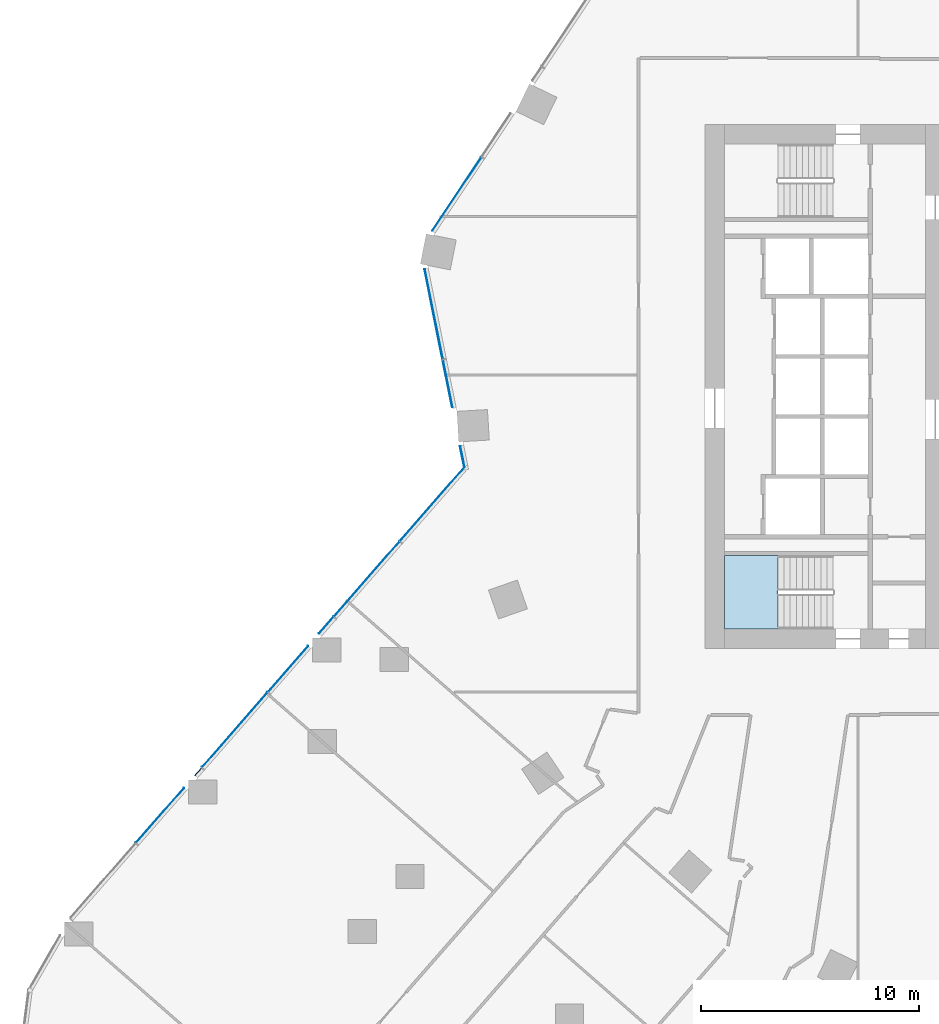
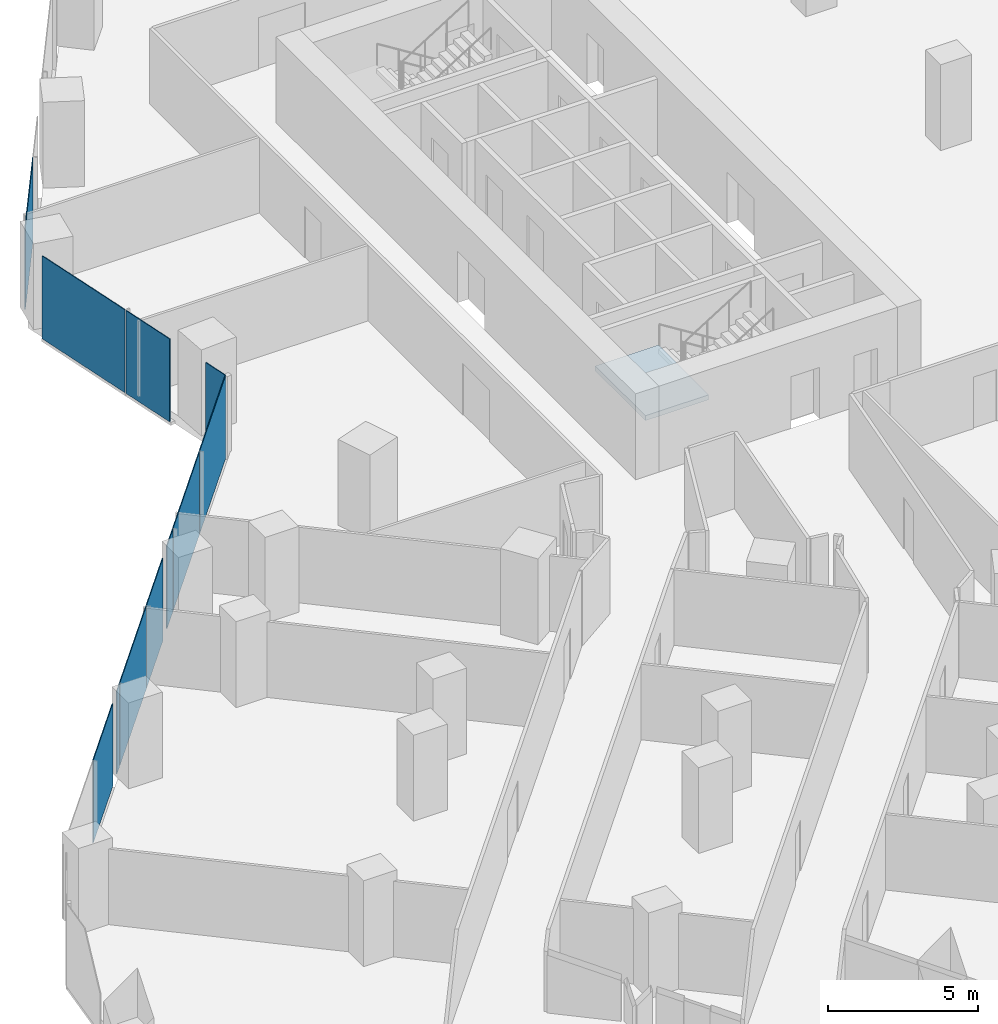
# One storey, part 20 of 38: 11 plates, 1 slab, 4 elements without a shape of their own.
"""IFC4 building model written with IfcOpenShell, lengths in metres."""

from ifc_helpers import new_model, si_unit, direction, frame, origin, origin_2d, place, context, subcontext, project, spatial, polyline, rectangle, outline, extrude, material, layer, layer_set, type_object, element, aggregate, save


model = new_model("IFC4")

# Units and contexts
model_context = context("Model", 3, precision=1e-05, world=origin(), true_north=direction((0.0, 1.0)))
body_context = subcontext(model_context, "Body", "Model", "MODEL_VIEW")
ifc_project = project(units=[si_unit("LENGTHUNIT", "METRE"), si_unit("AREAUNIT", "SQUARE_METRE"), si_unit("VOLUMEUNIT", "CUBIC_METRE"), si_unit("PLANEANGLEUNIT", "RADIAN"), si_unit("MASSUNIT", "GRAM", prefix="KILO")], contexts=[model_context])

# Site, building, storey
site_placement = place(None, origin())
site = spatial("IfcSite", under=ifc_project, at=site_placement, CompositionType="ELEMENT")
building_placement = place(site_placement, origin())
building = spatial("IfcBuilding", under=site, at=building_placement, Name="Orlundy Tower", CompositionType="ELEMENT")
storey_placement = place(building_placement, frame((0.0, 0.0, 65.800048828125)))
storey = spatial("IfcBuildingStorey", under=building, at=storey_placement, Name="L15", CompositionType="ELEMENT", Elevation=65.800048828125)

# Curtain wall, plates
ifc_material_1 = material(Name="Aluminium bronze anodised", Category="aluminium")
curtain_wall_type = type_object("IfcCurtainWallType", Name="CW1 wall", PredefinedType="NOTDEFINED", material=ifc_material_1)
curtain_wall_1_placement = place(storey_placement, origin())
curtain_wall_1 = element("IfcCurtainWall", 1, at=curtain_wall_1_placement, inside=storey, type_object=curtain_wall_type, Name="CW1 run 012", PredefinedType="NOTDEFINED")
ifc_material_2 = material(Name="Tinted glass", Category="glass")
ifc_layer_1 = layer(ifc_material_2, 0.031982421875)
ifc_layer_set_1 = layer_set([ifc_layer_1], Name="CW1 glass panel 32")
plate_type = type_object("IfcPlateType", Name="CW1 glass panel 32", PredefinedType="CURTAIN_PANEL", material=ifc_layer_set_1)
plate_1_placement = place(storey_placement, frame((-43.957275390625, -19.63818359375, -0.280029296875), z_axis=(0.0, 0.0, 1.0), x_axis=(0.658273153933, 0.752779154075, 0.0)))
plate_1 = element("IfcPlate", 2, at=plate_1_placement, type_object=plate_type, Name="CW1 panel", PredefinedType="CURTAIN_PANEL", context=body_context, shape_type="SweptSolid", body=[
    extrude(rectangle(XDim=3.33642578125, YDim=0.031982421875, at=origin_2d()), origin(), (0.0, 0.0, 1.0), 3.3798828125),
])
plate_2_placement = place(storey_placement, frame((-42.218017578125, -17.649169921875, -0.280029296875), z_axis=(0.0, 0.0, 1.0), x_axis=(0.658273153933, 0.752779154075, 0.0)))
plate_2 = element("IfcPlate", 3, at=plate_2_placement, type_object=plate_type, Name="CW1 panel", PredefinedType="CURTAIN_PANEL", context=body_context, shape_type="SweptSolid", body=[
    extrude(rectangle(XDim=0.456787109375, YDim=0.031982421875, at=origin_2d()), origin(), (0.0, 0.0, 1.0), 3.3798828125),
])
plate_3_placement = place(storey_placement, frame((-40.540771484375, -15.731201171875, -0.280029296875), z_axis=(0.0, 0.0, 1.0), x_axis=(0.658273153933, 0.752779154075, 0.0)))
plate_3 = element("IfcPlate", 4, at=plate_3_placement, type_object=plate_type, Name="CW1 panel", PredefinedType="CURTAIN_PANEL", context=body_context, shape_type="SweptSolid", body=[
    extrude(rectangle(XDim=4.538818359375, YDim=0.031982421875, at=origin_2d()), origin(), (0.0, 0.0, 1.0), 3.3798828125),
])
plate_4_placement = place(storey_placement, frame((-38.095458984375, -12.934814453125, -0.280029296875), z_axis=(0.0, 0.0, 1.0), x_axis=(0.658273153933, 0.752779154075, 0.0)))
plate_4 = element("IfcPlate", 5, at=plate_4_placement, type_object=plate_type, Name="CW1 panel", PredefinedType="CURTAIN_PANEL", context=body_context, shape_type="SweptSolid", body=[
    extrude(rectangle(XDim=2.79052734375, YDim=0.031982421875, at=origin_2d()), origin(), (0.0, 0.0, 1.0), 3.3798828125),
])
plate_5_placement = place(storey_placement, frame((-36.355712890625, -10.9453125, -0.280029296875), z_axis=(0.0, 0.0, 1.0), x_axis=(0.658273153933, 0.752779154075, 0.0)))
plate_5 = element("IfcPlate", 6, at=plate_5_placement, type_object=plate_type, Name="CW1 panel", PredefinedType="CURTAIN_PANEL", context=body_context, shape_type="SweptSolid", body=[
    extrude(rectangle(XDim=1.0009765625, YDim=0.031982421875, at=origin_2d()), origin(), (0.0, 0.0, 1.0), 3.3798828125),
])
plate_6_placement = place(storey_placement, frame((-34.49951171875, -8.822509765625, -0.280029296875), z_axis=(0.0, 0.0, 1.0), x_axis=(0.658273153933, 0.752779154075, 0.0)))
plate_6 = element("IfcPlate", 7, at=plate_6_placement, type_object=plate_type, Name="CW1 panel", PredefinedType="CURTAIN_PANEL", context=body_context, shape_type="SweptSolid", body=[
    extrude(rectangle(XDim=4.538818359375, YDim=0.031982421875, at=origin_2d()), origin(), (0.0, 0.0, 1.0), 3.3798828125),
])
plate_7_placement = place(storey_placement, frame((-31.4970703125, -5.38916015625, -0.280029296875), z_axis=(0.0, 0.0, 1.0), x_axis=(0.658273153933, 0.752779154075, 0.0)))
plate_7 = element("IfcPlate", 8, at=plate_7_placement, type_object=plate_type, Name="CW1 panel", PredefinedType="CURTAIN_PANEL", context=body_context, shape_type="SweptSolid", body=[
    extrude(rectangle(XDim=4.48291015625, YDim=0.031982421875, at=origin_2d()), origin(), (0.0, 0.0, 1.0), 3.3798828125),
])
aggregate(curtain_wall_1, [plate_1, plate_2, plate_3, plate_4, plate_5, plate_6, plate_7])

curtain_wall_2_placement = place(storey_placement, origin())
curtain_wall_2 = element("IfcCurtainWall", 9, at=curtain_wall_2_placement, inside=storey, type_object=curtain_wall_type, Name="CW1 run 013", PredefinedType="NOTDEFINED")
plate_8_placement = place(storey_placement, frame((-30.11865234375, -3.21826171875, -0.280029296875), z_axis=(0.0, 0.0, 1.0), x_axis=(-0.196529373401, 0.980497937474, 0.0)))
plate_8 = element("IfcPlate", 10, at=plate_8_placement, type_object=plate_type, Name="CW1 panel", PredefinedType="CURTAIN_PANEL", context=body_context, shape_type="SweptSolid", body=[
    extrude(rectangle(XDim=0.986572265625, YDim=0.031982421875, at=origin_2d()), origin(), (0.0, 0.0, 1.0), 3.3798828125),
])
plate_9_placement = place(storey_placement, frame((-30.789794921875, 0.130126953125, -0.280029296875), z_axis=(0.0, 0.0, 1.0), x_axis=(-0.196529373401, 0.980497937474, 0.0)))
plate_9 = element("IfcPlate", 11, at=plate_9_placement, type_object=plate_type, Name="CW1 panel", PredefinedType="CURTAIN_PANEL", context=body_context, shape_type="SweptSolid", body=[
    extrude(rectangle(XDim=2.209228515625, YDim=0.031982421875, at=origin_2d()), origin(), (0.0, 0.0, 1.0), 3.3798828125),
])
plate_10_placement = place(storey_placement, frame((-31.42822265625, 3.315185546875, -0.280029296875), z_axis=(0.0, 0.0, 1.0), x_axis=(-0.196529373401, 0.980497937474, 0.0)))
plate_10 = element("IfcPlate", 12, at=plate_10_placement, type_object=plate_type, Name="CW1 panel", PredefinedType="CURTAIN_PANEL", context=body_context, shape_type="SweptSolid", body=[
    extrude(rectangle(XDim=4.187255859375, YDim=0.031982421875, at=origin_2d()), origin(), (0.0, 0.0, 1.0), 3.3798828125),
])
aggregate(curtain_wall_2, [plate_8, plate_9, plate_10])

# Curtain wall, plate
curtain_wall_3_placement = place(storey_placement, origin())
curtain_wall_3 = element("IfcCurtainWall", 13, at=curtain_wall_3_placement, inside=storey, type_object=curtain_wall_type, Name="CW1 run 014", PredefinedType="NOTDEFINED")
plate_11_placement = place(storey_placement, frame((-30.37158203125, 8.81494140625, -0.280029296875), z_axis=(0.0, 0.0, 1.0), x_axis=(0.554356579774, 0.832279269513, 0.0)))
plate_11 = element("IfcPlate", 14, at=plate_11_placement, type_object=plate_type, Name="CW1 panel", PredefinedType="CURTAIN_PANEL", context=body_context, shape_type="SweptSolid", body=[
    extrude(rectangle(XDim=4.03955078125, YDim=0.031982421875, at=origin_2d()), origin(), (0.0, 0.0, 1.0), 3.3798828125),
])
aggregate(curtain_wall_3, [plate_11])

# Stair, slab
ifc_material_3 = material(Name="Concrete C50/60", Category="concrete")
stair_type = type_object("IfcStairType", Name="Exit Stair 20 risers", PredefinedType="HALF_TURN_STAIR", material=ifc_material_3)
stair_placement = place(storey_placement, origin())
stair = element("IfcStair", 15, at=stair_placement, inside=storey, type_object=stair_type, Name="L15 Exit Stair ST-W2", PredefinedType="HALF_TURN_STAIR")
ifc_material_4 = material(Name="Concrete C50/60", Category="concrete")
ifc_layer_2 = layer(ifc_material_4, 0.199951171875)
ifc_layer_set_2 = layer_set([ifc_layer_2], Name="Exit Stair Landing")
slab_type = type_object("IfcSlabType", Name="Exit Stair Landing", PredefinedType="LANDING", material=ifc_layer_set_2)
slab_placement = place(storey_placement, frame((0.0, 0.0, 1.550048828125)))
slab = element("IfcSlab", 16, at=slab_placement, type_object=slab_type, Name="ST-W2 landing 1", PredefinedType="LANDING", context=body_context, shape_type="SweptSolid", body=[
    extrude(outline(polyline([(-15.659912109375, -7.75), (-18.10009765625, -7.75), (-18.10009765625, -11.10009765625), (-15.659912109375, -11.10009765625), (-15.659912109375, -7.75)])), origin(), (0.0, 0.0, 1.0), 0.199951171875),
])
aggregate(stair, [slab])

save(model, "model.ifc")
